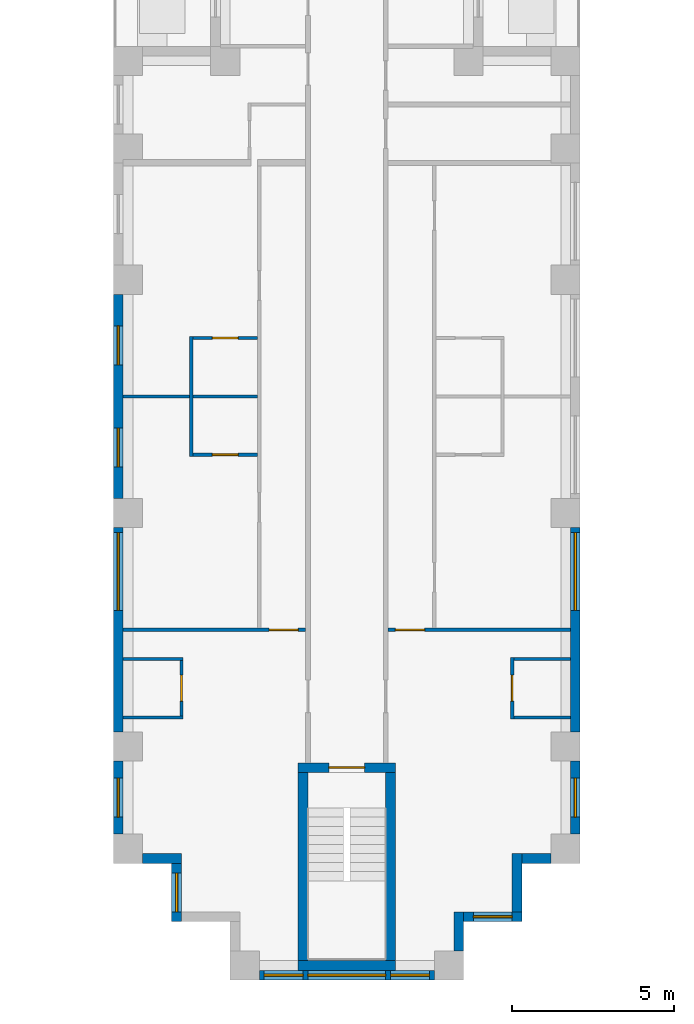
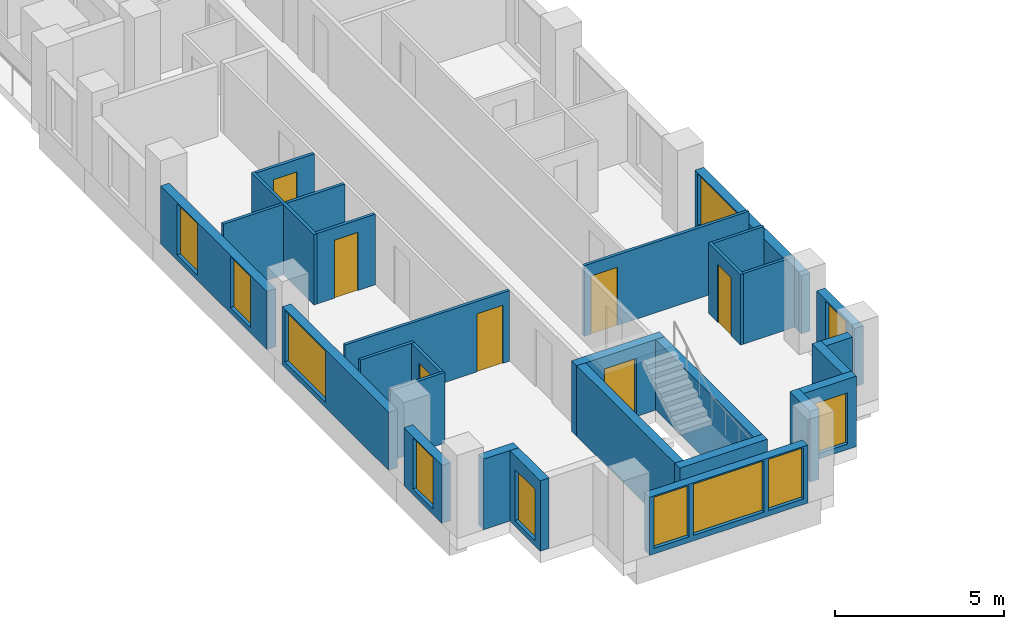
# One storey, part 3 of 15: 28 walls, 11 windows, 7 doors, 18 openings.
"""IFC4 building model written with IfcOpenShell, lengths in metres."""

from ifc_helpers import new_model, si_unit, direction, frame, frame_2d, origin, place, context, subcontext, project, spatial, rectangle, extrude, material, layer, layer_set, type_object, element, fill, save


model = new_model("IFC4")

# Units and contexts
model_context = context("Model", 3, precision=1e-05, world=origin(), true_north=direction((0.0, 1.0)))
body_context = subcontext(model_context, "Body", "Model", "MODEL_VIEW")
ifc_project = project(units=[si_unit("LENGTHUNIT", "METRE"), si_unit("AREAUNIT", "SQUARE_METRE"), si_unit("VOLUMEUNIT", "CUBIC_METRE"), si_unit("PLANEANGLEUNIT", "RADIAN"), si_unit("MASSUNIT", "GRAM", prefix="KILO")], contexts=[model_context])

# Site, building, storey
site_placement = place(None, origin())
site = spatial("IfcSite", under=ifc_project, at=site_placement, CompositionType="ELEMENT")
building_placement = place(site_placement, origin())
building = spatial("IfcBuilding", under=site, at=building_placement, Name="Fustian Cross Tower", CompositionType="ELEMENT")
storey_placement = place(building_placement, frame((0.0, 0.0, 59.699951171875)))
storey = spatial("IfcBuildingStorey", under=building, at=storey_placement, Name="L18", CompositionType="ELEMENT", Elevation=59.699951171875)

# Walls
ifc_material_1 = material(Name="Plasterboard on steel stud", Category="steel")
ifc_layer_1 = layer(ifc_material_1, 0.10009765625)
ifc_layer_set_1 = layer_set([ifc_layer_1], Name="Plasterboard on steel stud")
wall_type_1 = type_object("IfcWallType", Name="PARTITION 100 STUD", PredefinedType="PARTITIONING", material=ifc_layer_set_1)
for number, where, z_axis, x_axis, name in (
    (1, (-6.89990234375, -35.10009765625, 0.0), (0.0, 0.0, 1.0), (1.0, 0.0, 0.0), "Partition 14"),
    (2, (-6.89990234375, -33.300048828125, 0.0), (0.0, 0.0, 1.0), (1.0, 0.0, 0.0), "Partition 15"),
):
    element("IfcWall", number, at=place(storey_placement, frame(where, z_axis=z_axis, x_axis=x_axis)), inside=storey, type_object=wall_type_1, Name=name, PredefinedType="PARTITIONING", context=body_context, shape_type="SweptSolid", body=[
        extrude(rectangle(XDim=1.849853515625, YDim=0.10009765625, at=frame_2d((0.9248046875, 0.0))), origin(), (0.0, 0.0, 1.0), 2.550048828125),
    ])

# Wall, opening, door
wall_1_placement = place(storey_placement, frame((-6.89990234375, -32.39990234375, 0.0), z_axis=(0.0, 0.0, 1.0), x_axis=(1.0, 0.0, 0.0)))
wall_1 = element("IfcWall", 3, at=wall_1_placement, inside=storey, type_object=wall_type_1, Name="Partition 16", PredefinedType="PARTITIONING", context=body_context, shape_type="SweptSolid", body=[
    extrude(rectangle(XDim=5.625, YDim=0.10009765625, at=frame_2d((2.8125, 0.0))), origin(), (0.0, 0.0, 1.0), 2.550048828125),
])
opening_1_placement = place(wall_1_placement, frame((4.5, 0.0, 0.0)))
opening_1 = element("IfcOpeningElement", 4, at=opening_1_placement, cuts=wall_1, Name="Opening D09072", PredefinedType="OPENING", context=body_context, shape_type="SweptSolid", body=[
    extrude(rectangle(XDim=0.89990234375, YDim=2.10009765625, at=frame_2d((0.449951171875, 1.050048828125))), frame((0.0, 0.06005859375, 0.0), z_axis=(0.0, -1.0, 0.0), x_axis=(1.0, 0.0, 0.0)), (0.0, 0.0, 1.0), 0.1201171875),
])
ifc_material_2 = material(Name="Painted timber", Category="wood")
door_type_1 = type_object("IfcDoorType", Name="SWING DOOR 900", OperationType="SINGLE_SWING_LEFT", PredefinedType="DOOR", material=ifc_material_2)
door_1_placement = place(opening_1_placement, origin())
door_1 = element("IfcDoor", 5, at=door_1_placement, inside=storey, type_object=door_type_1, Name="Door D09072", OperationType="SINGLE_SWING_LEFT", OverallHeight=2.10009765625, OverallWidth=0.89990234375, PredefinedType="DOOR", context=body_context, shape_type="SweptSolid", body=[
    extrude(rectangle(XDim=0.89990234375, YDim=2.10009765625, at=frame_2d((0.449951171875, 1.050048828125))), frame((0.0, 0.02490234375, 0.0), z_axis=(0.0, -1.0, 0.0), x_axis=(1.0, 0.0, 0.0)), (0.0, 0.0, 1.0), 0.050048828125),
])
fill(opening_1, door_1)

# Wall
wall_2_placement = place(storey_placement, frame((-6.89990234375, -25.199951171875, 0.0), z_axis=(0.0, 0.0, 1.0), x_axis=(1.0, 0.0, 0.0)))
element("IfcWall", 6, at=wall_2_placement, inside=storey, type_object=wall_type_1, Name="Partition 17", PredefinedType="PARTITIONING", context=body_context, shape_type="SweptSolid", body=[
    extrude(rectangle(XDim=4.14990234375, YDim=0.10009765625, at=frame_2d((2.074951171875, 0.0))), origin(), (0.0, 0.0, 1.0), 2.550048828125),
])

# Wall, opening, door
wall_3_placement = place(storey_placement, frame((-5.10009765625, -35.050048828125, 0.0), z_axis=(0.0, 0.0, 1.0), x_axis=(0.0, 1.0, 0.0)))
wall_3 = element("IfcWall", 7, at=wall_3_placement, inside=storey, type_object=wall_type_1, Name="Partition 24", PredefinedType="PARTITIONING", context=body_context, shape_type="SweptSolid", body=[
    extrude(rectangle(XDim=1.699951171875, YDim=0.10009765625, at=frame_2d((0.85009765625, 0.0))), origin(), (0.0, 0.0, 1.0), 2.550048828125),
])
opening_2_placement = place(wall_3_placement, frame((0.449951171875, 0.0, 0.0)))
opening_2 = element("IfcOpeningElement", 8, at=opening_2_placement, cuts=wall_3, Name="Opening D09068", PredefinedType="OPENING", context=body_context, shape_type="SweptSolid", body=[
    extrude(rectangle(XDim=0.800048828125, YDim=2.10009765625, at=frame_2d((0.39990234375, 1.050048828125))), frame((0.0, 0.06005859375, 0.0), z_axis=(0.0, -1.0, 0.0), x_axis=(1.0, 0.0, 0.0)), (0.0, 0.0, 1.0), 0.1201171875),
])
ifc_material_3 = material(Name="Painted timber", Category="wood")
door_type_2 = type_object("IfcDoorType", Name="SWING DOOR 800", OperationType="SINGLE_SWING_LEFT", PredefinedType="DOOR", material=ifc_material_3)
door_2_placement = place(opening_2_placement, origin())
door_2 = element("IfcDoor", 9, at=door_2_placement, inside=storey, type_object=door_type_2, Name="Door D09068", OperationType="SINGLE_SWING_RIGHT", OverallHeight=2.10009765625, OverallWidth=0.800048828125, PredefinedType="DOOR", context=body_context, shape_type="SweptSolid", body=[
    extrude(rectangle(XDim=0.800048828125, YDim=2.10009765625, at=frame_2d((0.39990234375, 1.050048828125))), frame((0.0, 0.02490234375, 0.0), z_axis=(0.0, -1.0, 0.0), x_axis=(1.0, 0.0, 0.0)), (0.0, 0.0, 1.0), 0.050048828125),
])
fill(opening_2, door_2)

# Wall
wall_4_placement = place(storey_placement, frame((-4.800048828125, -27.050048828125, 0.0), z_axis=(0.0, 0.0, 1.0), x_axis=(0.0, 1.0, 0.0)))
element("IfcWall", 10, at=wall_4_placement, inside=storey, type_object=wall_type_1, Name="Partition 25", PredefinedType="PARTITIONING", context=body_context, shape_type="SweptSolid", body=[
    extrude(rectangle(XDim=3.699951171875, YDim=0.10009765625, at=frame_2d((1.85009765625, 0.0))), origin(), (0.0, 0.0, 1.0), 2.550048828125),
])

# Wall, opening, door
wall_5_placement = place(storey_placement, frame((-4.75, -27.0, 0.0), z_axis=(0.0, 0.0, 1.0), x_axis=(1.0, 0.0, 0.0)))
wall_5 = element("IfcWall", 11, at=wall_5_placement, inside=storey, type_object=wall_type_1, Name="Partition 26", PredefinedType="PARTITIONING", context=body_context, shape_type="SweptSolid", body=[
    extrude(rectangle(XDim=2.0, YDim=0.10009765625, at=frame_2d((1.0, 0.0))), origin(), (0.0, 0.0, 1.0), 2.550048828125),
])
opening_3_placement = place(wall_5_placement, frame((0.60009765625, 0.0, 0.0)))
opening_3 = element("IfcOpeningElement", 12, at=opening_3_placement, cuts=wall_5, Name="Opening D09074", PredefinedType="OPENING", context=body_context, shape_type="SweptSolid", body=[
    extrude(rectangle(XDim=0.800048828125, YDim=2.10009765625, at=frame_2d((0.39990234375, 1.050048828125))), frame((0.0, 0.06005859375, 0.0), z_axis=(0.0, -1.0, 0.0), x_axis=(1.0, 0.0, 0.0)), (0.0, 0.0, 1.0), 0.1201171875),
])
door_3_placement = place(opening_3_placement, origin())
door_3 = element("IfcDoor", 13, at=door_3_placement, inside=storey, type_object=door_type_2, Name="Door D09074", OperationType="SINGLE_SWING_LEFT", OverallHeight=2.10009765625, OverallWidth=0.800048828125, PredefinedType="DOOR", context=body_context, shape_type="SweptSolid", body=[
    extrude(rectangle(XDim=0.800048828125, YDim=2.10009765625, at=frame_2d((0.39990234375, 1.050048828125))), frame((0.0, 0.02490234375, 0.0), z_axis=(0.0, -1.0, 0.0), x_axis=(1.0, 0.0, 0.0)), (0.0, 0.0, 1.0), 0.050048828125),
])
fill(opening_3, door_3)

wall_6_placement = place(storey_placement, frame((-4.75, -23.39990234375, 0.0), z_axis=(0.0, 0.0, 1.0), x_axis=(1.0, 0.0, 0.0)))
wall_6 = element("IfcWall", 14, at=wall_6_placement, inside=storey, type_object=wall_type_1, Name="Partition 27", PredefinedType="PARTITIONING", context=body_context, shape_type="SweptSolid", body=[
    extrude(rectangle(XDim=2.0, YDim=0.10009765625, at=frame_2d((1.0, 0.0))), origin(), (0.0, 0.0, 1.0), 2.550048828125),
])
opening_4_placement = place(wall_6_placement, frame((0.60009765625, 0.0, 0.0)))
opening_4 = element("IfcOpeningElement", 15, at=opening_4_placement, cuts=wall_6, Name="Opening D09073", PredefinedType="OPENING", context=body_context, shape_type="SweptSolid", body=[
    extrude(rectangle(XDim=0.800048828125, YDim=2.10009765625, at=frame_2d((0.39990234375, 1.050048828125))), frame((0.0, 0.06005859375, 0.0), z_axis=(0.0, -1.0, 0.0), x_axis=(1.0, 0.0, 0.0)), (0.0, 0.0, 1.0), 0.1201171875),
])
door_4_placement = place(opening_4_placement, frame((0.800048828125, 0.0, 0.0), z_axis=(0.0, 0.0, 1.0), x_axis=(-1.0, 0.0, 0.0)))
door_4 = element("IfcDoor", 16, at=door_4_placement, inside=storey, type_object=door_type_2, Name="Door D09073", OperationType="SINGLE_SWING_RIGHT", OverallHeight=2.10009765625, OverallWidth=0.800048828125, PredefinedType="DOOR", context=body_context, shape_type="SweptSolid", body=[
    extrude(rectangle(XDim=0.800048828125, YDim=2.10009765625, at=frame_2d((0.39990234375, 1.050048828125))), frame((0.0, 0.02490234375, 0.0), z_axis=(0.0, -1.0, 0.0), x_axis=(1.0, 0.0, 0.0)), (0.0, 0.0, 1.0), 0.050048828125),
])
fill(opening_4, door_4)

wall_7_placement = place(storey_placement, frame((1.27490234375, -32.39990234375, 0.0), z_axis=(0.0, 0.0, 1.0), x_axis=(1.0, 0.0, 0.0)))
wall_7 = element("IfcWall", 17, at=wall_7_placement, inside=storey, type_object=wall_type_1, Name="Partition 49", PredefinedType="PARTITIONING", context=body_context, shape_type="SweptSolid", body=[
    extrude(rectangle(XDim=5.625, YDim=0.10009765625, at=frame_2d((2.8125, 0.0))), origin(), (0.0, 0.0, 1.0), 2.550048828125),
])
opening_5_placement = place(wall_7_placement, frame((0.22509765625, 0.0, 0.0)))
opening_5 = element("IfcOpeningElement", 18, at=opening_5_placement, cuts=wall_7, Name="Opening D09059", PredefinedType="OPENING", context=body_context, shape_type="SweptSolid", body=[
    extrude(rectangle(XDim=0.89990234375, YDim=2.10009765625, at=frame_2d((0.449951171875, 1.050048828125))), frame((0.0, 0.06005859375, 0.0), z_axis=(0.0, -1.0, 0.0), x_axis=(1.0, 0.0, 0.0)), (0.0, 0.0, 1.0), 0.1201171875),
])
door_5_placement = place(opening_5_placement, origin())
door_5 = element("IfcDoor", 19, at=door_5_placement, inside=storey, type_object=door_type_1, Name="Door D09059", OperationType="SINGLE_SWING_LEFT", OverallHeight=2.10009765625, OverallWidth=0.89990234375, PredefinedType="DOOR", context=body_context, shape_type="SweptSolid", body=[
    extrude(rectangle(XDim=0.89990234375, YDim=2.10009765625, at=frame_2d((0.449951171875, 1.050048828125))), frame((0.0, 0.02490234375, 0.0), z_axis=(0.0, -1.0, 0.0), x_axis=(1.0, 0.0, 0.0)), (0.0, 0.0, 1.0), 0.050048828125),
])
fill(opening_5, door_5)

wall_8_placement = place(storey_placement, frame((5.10009765625, -35.14990234375, 0.0), z_axis=(0.0, 0.0, 1.0), x_axis=(0.0, 1.0, 0.0)))
wall_8 = element("IfcWall", 20, at=wall_8_placement, inside=storey, type_object=wall_type_1, Name="Partition 80", PredefinedType="PARTITIONING", context=body_context, shape_type="SweptSolid", body=[
    extrude(rectangle(XDim=1.89990234375, YDim=0.10009765625, at=frame_2d((0.949951171875, 0.0))), origin(), (0.0, 0.0, 1.0), 2.550048828125),
])
opening_6_placement = place(wall_8_placement, frame((0.550048828125, 0.0, 0.0)))
opening_6 = element("IfcOpeningElement", 21, at=opening_6_placement, cuts=wall_8, Name="Opening D09057", PredefinedType="OPENING", context=body_context, shape_type="SweptSolid", body=[
    extrude(rectangle(XDim=0.800048828125, YDim=2.10009765625, at=frame_2d((0.39990234375, 1.050048828125))), frame((0.0, 0.06005859375, 0.0), z_axis=(0.0, -1.0, 0.0), x_axis=(1.0, 0.0, 0.0)), (0.0, 0.0, 1.0), 0.1201171875),
])
door_6_placement = place(opening_6_placement, frame((0.800048828125, 0.0, 0.0), z_axis=(0.0, 0.0, 1.0), x_axis=(-1.0, 0.0, 0.0)))
door_6 = element("IfcDoor", 22, at=door_6_placement, inside=storey, type_object=door_type_2, Name="Door D09057", OperationType="SINGLE_SWING_LEFT", OverallHeight=2.10009765625, OverallWidth=0.800048828125, PredefinedType="DOOR", context=body_context, shape_type="SweptSolid", body=[
    extrude(rectangle(XDim=0.800048828125, YDim=2.10009765625, at=frame_2d((0.39990234375, 1.050048828125))), frame((0.0, 0.02490234375, 0.0), z_axis=(0.0, -1.0, 0.0), x_axis=(1.0, 0.0, 0.0)), (0.0, 0.0, 1.0), 0.050048828125),
])
fill(opening_6, door_6)

# Walls
for number, where, z_axis, x_axis, name in (
    (23, (5.14990234375, -35.10009765625, 0.0), (0.0, 0.0, 1.0), (1.0, 0.0, 0.0), "Partition 81"),
    (24, (5.14990234375, -33.300048828125, 0.0), (0.0, 0.0, 1.0), (1.0, 0.0, 0.0), "Partition 82"),
):
    element("IfcWall", number, at=place(storey_placement, frame(where, z_axis=z_axis, x_axis=x_axis)), inside=storey, type_object=wall_type_1, Name=name, PredefinedType="PARTITIONING", context=body_context, shape_type="SweptSolid", body=[
        extrude(rectangle(XDim=1.75, YDim=0.10009765625, at=frame_2d((0.875, 0.0))), origin(), (0.0, 0.0, 1.0), 2.550048828125),
    ])

# Wall, opening, door
ifc_material_4 = material(Name="Concrete C50/60", Category="concrete")
ifc_layer_2 = layer(ifc_material_4, 0.300048828125)
ifc_layer_set_2 = layer_set([ifc_layer_2], Name="Concrete C50/60")
wall_type_2 = type_object("IfcWallType", Name="STAIR ENCLOSURE WALL 300 C50/60", PredefinedType="SHEAR", material=ifc_layer_set_2)
wall_9_placement = place(storey_placement, frame((-1.5, -36.64990234375, 0.0), z_axis=(0.0, 0.0, 1.0), x_axis=(1.0, 0.0, 0.0)))
wall_9 = element("IfcWall", 25, at=wall_9_placement, inside=storey, type_object=wall_type_2, Name="Stair enclosure wall", PredefinedType="SHEAR", context=body_context, shape_type="SweptSolid", body=[
    extrude(rectangle(XDim=3.0, YDim=0.300048828125, at=frame_2d((1.5, 0.0))), origin(), (0.0, 0.0, 1.0), 2.550048828125),
])
opening_7_placement = place(wall_9_placement, frame((0.949951171875, 0.0, 0.0)))
opening_7 = element("IfcOpeningElement", 26, at=opening_7_placement, cuts=wall_9, Name="Opening CD-07-32", PredefinedType="OPENING", context=body_context, shape_type="SweptSolid", body=[
    extrude(rectangle(XDim=1.10009765625, YDim=2.10009765625, at=frame_2d((0.550048828125, 1.050048828125))), frame((0.0, 0.159912109375, 0.0), z_axis=(0.0, -1.0, 0.0), x_axis=(1.0, 0.0, 0.0)), (0.0, 0.0, 1.0), 0.320068359375),
])
ifc_material_5 = material(Name="Steel", Category="steel")
door_type_3 = type_object("IfcDoorType", Name="FIRE DOOR FD60S 1100X2100", OperationType="SINGLE_SWING_LEFT", PredefinedType="DOOR", material=ifc_material_5)
door_7_placement = place(opening_7_placement, frame((1.10009765625, 0.0, 0.0), z_axis=(0.0, 0.0, 1.0), x_axis=(-1.0, 0.0, 0.0)))
door_7 = element("IfcDoor", 27, at=door_7_placement, inside=storey, type_object=door_type_3, Name="Core door CD-07-32", OperationType="SINGLE_SWING_RIGHT", OverallHeight=2.10009765625, OverallWidth=1.10009765625, PredefinedType="DOOR", context=body_context, shape_type="SweptSolid", body=[
    extrude(rectangle(XDim=1.10009765625, YDim=2.10009765625, at=frame_2d((0.550048828125, 1.050048828125))), frame((0.0, 0.02490234375, 0.0), z_axis=(0.0, -1.0, 0.0), x_axis=(1.0, 0.0, 0.0)), (0.0, 0.0, 1.0), 0.050048828125),
])
fill(opening_7, door_7)

# Walls
wall_10_placement = place(storey_placement, frame((-1.5, -42.75, 0.0), z_axis=(0.0, 0.0, 1.0), x_axis=(1.0, 0.0, 0.0)))
element("IfcWall", 28, at=wall_10_placement, inside=storey, type_object=wall_type_2, Name="Stair enclosure wall", PredefinedType="SHEAR", context=body_context, shape_type="SweptSolid", body=[
    extrude(rectangle(XDim=3.0, YDim=0.300048828125, at=frame_2d((1.5, 0.0))), origin(), (0.0, 0.0, 1.0), 2.550048828125),
])
for number, where, z_axis, x_axis, name in (
    (29, (-1.35009765625, -36.800048828125, 0.0), (0.0, 0.0, 1.0), (0.0, -1.0, 0.0), "Stair enclosure wall"),
    (30, (1.35009765625, -36.800048828125, 0.0), (0.0, 0.0, 1.0), (0.0, -1.0, 0.0), "Stair enclosure wall"),
):
    element("IfcWall", number, at=place(storey_placement, frame(where, z_axis=z_axis, x_axis=x_axis)), inside=storey, type_object=wall_type_2, Name=name, PredefinedType="SHEAR", context=body_context, shape_type="SweptSolid", body=[
        extrude(rectangle(XDim=5.800048828125, YDim=0.300048828125, at=frame_2d((2.89990234375, 0.0))), origin(), (0.0, 0.0, 1.0), 2.550048828125),
    ])

# Wall, openings, windows
ifc_material_6 = material(Name="Dark aluminium cladding on insulated backing wall", Category="aluminium")
ifc_layer_3 = layer(ifc_material_6, 0.300048828125)
ifc_layer_set_3 = layer_set([ifc_layer_3], Name="Dark aluminium cladding on insulated backing wall")
wall_type_3 = type_object("IfcWallType", Name="XW1 EXTERNAL WALL 300", PredefinedType="SOLIDWALL", material=ifc_layer_set_3)
wall_11_placement = place(storey_placement, frame((-7.050048828125, -22.050048828125, 0.0), z_axis=(0.0, 0.0, 1.0), x_axis=(0.0, -1.0, 0.0)))
wall_11 = element("IfcWall", 31, at=wall_11_placement, inside=storey, type_object=wall_type_3, Name="External wall", PredefinedType="SOLIDWALL", context=body_context, shape_type="SweptSolid", body=[
    extrude(rectangle(XDim=6.300048828125, YDim=0.300048828125, at=frame_2d((3.14990234375, 0.0))), origin(), (0.0, 0.0, 1.0), 2.10009765625),
])
opening_8_placement = place(wall_11_placement, frame((0.97509765625, 0.0, 0.199951171875)))
opening_8 = element("IfcOpeningElement", 32, at=opening_8_placement, cuts=wall_11, Name="Opening WN3", PredefinedType="OPENING", context=body_context, shape_type="SweptSolid", body=[
    extrude(rectangle(XDim=1.199951171875, YDim=1.85009765625, at=frame_2d((0.60009765625, 0.925048828125))), frame((0.0, 0.159912109375, 0.0), z_axis=(0.0, -1.0, 0.0), x_axis=(1.0, 0.0, 0.0)), (0.0, 0.0, 1.0), 0.320068359375),
])
opening_9_placement = place(wall_11_placement, frame((4.125, 0.0, 0.199951171875)))
opening_9 = element("IfcOpeningElement", 33, at=opening_9_placement, cuts=wall_11, Name="Opening WN3", PredefinedType="OPENING", context=body_context, shape_type="SweptSolid", body=[
    extrude(rectangle(XDim=1.199951171875, YDim=1.85009765625, at=frame_2d((0.60009765625, 0.925048828125))), frame((0.0, 0.159912109375, 0.0), z_axis=(0.0, -1.0, 0.0), x_axis=(1.0, 0.0, 0.0)), (0.0, 0.0, 1.0), 0.320068359375),
])
ifc_material_7 = material(Name="Dark anodised aluminium and double glazing", Category="aluminium")
window_type_1 = type_object("IfcWindowType", Name="WN3 WINDOW 1200X1850", PartitioningType="SINGLE_PANEL", PredefinedType="WINDOW", material=ifc_material_7)
window_1_placement = place(opening_8_placement, origin())
window_1 = element("IfcWindow", 34, at=window_1_placement, inside=storey, type_object=window_type_1, Name="Window", OverallHeight=1.85009765625, OverallWidth=1.199951171875, PartitioningType="SINGLE_PANEL", PredefinedType="WINDOW", context=body_context, shape_type="SweptSolid", body=[
    extrude(rectangle(XDim=1.199951171875, YDim=1.85009765625, at=frame_2d((0.60009765625, 0.925048828125))), frame((0.0, 0.030029296875, 0.0), z_axis=(0.0, -1.0, 0.0), x_axis=(1.0, 0.0, 0.0)), (0.0, 0.0, 1.0), 0.06005859375),
])
fill(opening_8, window_1)
window_2_placement = place(opening_9_placement, origin())
window_2 = element("IfcWindow", 35, at=window_2_placement, inside=storey, type_object=window_type_1, Name="Window", OverallHeight=1.85009765625, OverallWidth=1.199951171875, PartitioningType="SINGLE_PANEL", PredefinedType="WINDOW", context=body_context, shape_type="SweptSolid", body=[
    extrude(rectangle(XDim=1.199951171875, YDim=1.85009765625, at=frame_2d((0.60009765625, 0.925048828125))), frame((0.0, 0.030029296875, 0.0), z_axis=(0.0, -1.0, 0.0), x_axis=(1.0, 0.0, 0.0)), (0.0, 0.0, 1.0), 0.06005859375),
])
fill(opening_9, window_2)

# Wall, opening, window
wall_12_placement = place(storey_placement, frame((-7.050048828125, -29.25, 0.0), z_axis=(0.0, 0.0, 1.0), x_axis=(0.0, -1.0, 0.0)))
wall_12 = element("IfcWall", 36, at=wall_12_placement, inside=storey, type_object=wall_type_3, Name="External wall", PredefinedType="SOLIDWALL", context=body_context, shape_type="SweptSolid", body=[
    extrude(rectangle(XDim=6.300048828125, YDim=0.300048828125, at=frame_2d((3.14990234375, 0.0))), origin(), (0.0, 0.0, 1.0), 2.10009765625),
])
opening_10_placement = place(wall_12_placement, frame((0.14990234375, 0.0, 0.199951171875)))
opening_10 = element("IfcOpeningElement", 37, at=opening_10_placement, cuts=wall_12, Name="Opening WN1", PredefinedType="OPENING", context=body_context, shape_type="SweptSolid", body=[
    extrude(rectangle(XDim=2.39990234375, YDim=1.85009765625, at=frame_2d((1.199951171875, 0.925048828125))), frame((0.0, 0.159912109375, 0.0), z_axis=(0.0, -1.0, 0.0), x_axis=(1.0, 0.0, 0.0)), (0.0, 0.0, 1.0), 0.320068359375),
])
ifc_material_8 = material(Name="Dark anodised aluminium and double glazing", Category="aluminium")
window_type_2 = type_object("IfcWindowType", Name="WN1 WINDOW 2400X1850", PartitioningType="SINGLE_PANEL", PredefinedType="WINDOW", material=ifc_material_8)
window_3_placement = place(opening_10_placement, origin())
window_3 = element("IfcWindow", 38, at=window_3_placement, inside=storey, type_object=window_type_2, Name="Window", OverallHeight=1.85009765625, OverallWidth=2.39990234375, PartitioningType="SINGLE_PANEL", PredefinedType="WINDOW", context=body_context, shape_type="SweptSolid", body=[
    extrude(rectangle(XDim=2.39990234375, YDim=1.85009765625, at=frame_2d((1.199951171875, 0.925048828125))), frame((0.0, 0.030029296875, 0.0), z_axis=(0.0, -1.0, 0.0), x_axis=(1.0, 0.0, 0.0)), (0.0, 0.0, 1.0), 0.06005859375),
])
fill(opening_10, window_3)

wall_13_placement = place(storey_placement, frame((-7.050048828125, -36.449951171875, 0.0), z_axis=(0.0, 0.0, 1.0), x_axis=(0.0, -1.0, 0.0)))
wall_13 = element("IfcWall", 39, at=wall_13_placement, inside=storey, type_object=wall_type_3, Name="External wall", PredefinedType="SOLIDWALL", context=body_context, shape_type="SweptSolid", body=[
    extrude(rectangle(XDim=2.25, YDim=0.300048828125, at=frame_2d((1.125, 0.0))), origin(), (0.0, 0.0, 1.0), 2.10009765625),
])
opening_11_placement = place(wall_13_placement, frame((0.52490234375, 0.0, 0.199951171875)))
opening_11 = element("IfcOpeningElement", 40, at=opening_11_placement, cuts=wall_13, Name="Opening WN3", PredefinedType="OPENING", context=body_context, shape_type="SweptSolid", body=[
    extrude(rectangle(XDim=1.199951171875, YDim=1.85009765625, at=frame_2d((0.60009765625, 0.925048828125))), frame((0.0, 0.159912109375, 0.0), z_axis=(0.0, -1.0, 0.0), x_axis=(1.0, 0.0, 0.0)), (0.0, 0.0, 1.0), 0.320068359375),
])
window_4_placement = place(opening_11_placement, origin())
window_4 = element("IfcWindow", 41, at=window_4_placement, inside=storey, type_object=window_type_1, Name="Window", OverallHeight=1.85009765625, OverallWidth=1.199951171875, PartitioningType="SINGLE_PANEL", PredefinedType="WINDOW", context=body_context, shape_type="SweptSolid", body=[
    extrude(rectangle(XDim=1.199951171875, YDim=1.85009765625, at=frame_2d((0.60009765625, 0.925048828125))), frame((0.0, 0.030029296875, 0.0), z_axis=(0.0, -1.0, 0.0), x_axis=(1.0, 0.0, 0.0)), (0.0, 0.0, 1.0), 0.06005859375),
])
fill(opening_11, window_4)

# Wall
wall_14_placement = place(storey_placement, frame((-6.300048828125, -39.449951171875, 0.0), z_axis=(0.0, 0.0, 1.0), x_axis=(1.0, 0.0, 0.0)))
element("IfcWall", 42, at=wall_14_placement, inside=storey, type_object=wall_type_3, Name="External wall", PredefinedType="SOLIDWALL", context=body_context, shape_type="SweptSolid", body=[
    extrude(rectangle(XDim=1.199951171875, YDim=0.300048828125, at=frame_2d((0.60009765625, 0.0))), origin(), (0.0, 0.0, 1.0), 2.550048828125),
])

# Wall, opening, window
wall_15_placement = place(storey_placement, frame((-5.25, -39.60009765625, 0.0), z_axis=(0.0, 0.0, 1.0), x_axis=(0.0, -1.0, 0.0)))
wall_15 = element("IfcWall", 43, at=wall_15_placement, inside=storey, type_object=wall_type_3, Name="External wall", PredefinedType="SOLIDWALL", context=body_context, shape_type="SweptSolid", body=[
    extrude(rectangle(XDim=1.7998046875, YDim=0.300048828125, at=frame_2d((0.89990234375, 0.0))), origin(), (0.0, 0.0, 1.0), 2.550048828125),
])
opening_12_placement = place(wall_15_placement, frame((0.300048828125, 0.0, 0.199951171875)))
opening_12 = element("IfcOpeningElement", 44, at=opening_12_placement, cuts=wall_15, Name="Opening WN3", PredefinedType="OPENING", context=body_context, shape_type="SweptSolid", body=[
    extrude(rectangle(XDim=1.199951171875, YDim=1.85009765625, at=frame_2d((0.60009765625, 0.925048828125))), frame((0.0, 0.159912109375, 0.0), z_axis=(0.0, -1.0, 0.0), x_axis=(1.0, 0.0, 0.0)), (0.0, 0.0, 1.0), 0.320068359375),
])
window_5_placement = place(opening_12_placement, origin())
window_5 = element("IfcWindow", 45, at=window_5_placement, inside=storey, type_object=window_type_1, Name="Window", OverallHeight=1.85009765625, OverallWidth=1.199951171875, PartitioningType="SINGLE_PANEL", PredefinedType="WINDOW", context=body_context, shape_type="SweptSolid", body=[
    extrude(rectangle(XDim=1.199951171875, YDim=1.85009765625, at=frame_2d((0.60009765625, 0.925048828125))), frame((0.0, 0.030029296875, 0.0), z_axis=(0.0, -1.0, 0.0), x_axis=(1.0, 0.0, 0.0)), (0.0, 0.0, 1.0), 0.06005859375),
])
fill(opening_12, window_5)

# Wall, openings, windows
wall_16_placement = place(storey_placement, frame((-2.699951171875, -43.050048828125, 0.0), z_axis=(0.0, 0.0, 1.0), x_axis=(1.0, 0.0, 0.0)))
wall_16 = element("IfcWall", 46, at=wall_16_placement, inside=storey, type_object=wall_type_3, Name="External wall", PredefinedType="SOLIDWALL", context=body_context, shape_type="SweptSolid", body=[
    extrude(rectangle(XDim=5.39990234375, YDim=0.300048828125, at=frame_2d((2.699951171875, 0.0))), origin(), (0.0, 0.0, 1.0), 2.10009765625),
])
opening_13_placement = place(wall_16_placement, frame((1.5, 0.0, 0.199951171875)))
opening_13 = element("IfcOpeningElement", 47, at=opening_13_placement, cuts=wall_16, Name="Opening WN1", PredefinedType="OPENING", context=body_context, shape_type="SweptSolid", body=[
    extrude(rectangle(XDim=2.39990234375, YDim=1.85009765625, at=frame_2d((1.199951171875, 0.925048828125))), frame((0.0, 0.159912109375, 0.0), z_axis=(0.0, -1.0, 0.0), x_axis=(1.0, 0.0, 0.0)), (0.0, 0.0, 1.0), 0.320068359375),
])
opening_14_placement = place(wall_16_placement, frame((0.14990234375, 0.0, 0.199951171875)))
opening_14 = element("IfcOpeningElement", 48, at=opening_14_placement, cuts=wall_16, Name="Opening WN3", PredefinedType="OPENING", context=body_context, shape_type="SweptSolid", body=[
    extrude(rectangle(XDim=1.199951171875, YDim=1.85009765625, at=frame_2d((0.60009765625, 0.925048828125))), frame((0.0, 0.159912109375, 0.0), z_axis=(0.0, -1.0, 0.0), x_axis=(1.0, 0.0, 0.0)), (0.0, 0.0, 1.0), 0.320068359375),
])
opening_15_placement = place(wall_16_placement, frame((4.050048828125, 0.0, 0.199951171875)))
opening_15 = element("IfcOpeningElement", 49, at=opening_15_placement, cuts=wall_16, Name="Opening WN3", PredefinedType="OPENING", context=body_context, shape_type="SweptSolid", body=[
    extrude(rectangle(XDim=1.199951171875, YDim=1.85009765625, at=frame_2d((0.60009765625, 0.925048828125))), frame((0.0, 0.159912109375, 0.0), z_axis=(0.0, -1.0, 0.0), x_axis=(1.0, 0.0, 0.0)), (0.0, 0.0, 1.0), 0.320068359375),
])
window_6_placement = place(opening_13_placement, origin())
window_6 = element("IfcWindow", 50, at=window_6_placement, inside=storey, type_object=window_type_2, Name="Window", OverallHeight=1.85009765625, OverallWidth=2.39990234375, PartitioningType="SINGLE_PANEL", PredefinedType="WINDOW", context=body_context, shape_type="SweptSolid", body=[
    extrude(rectangle(XDim=2.39990234375, YDim=1.85009765625, at=frame_2d((1.199951171875, 0.925048828125))), frame((0.0, 0.030029296875, 0.0), z_axis=(0.0, -1.0, 0.0), x_axis=(1.0, 0.0, 0.0)), (0.0, 0.0, 1.0), 0.06005859375),
])
fill(opening_13, window_6)
window_7_placement = place(opening_14_placement, origin())
window_7 = element("IfcWindow", 51, at=window_7_placement, inside=storey, type_object=window_type_1, Name="Window", OverallHeight=1.85009765625, OverallWidth=1.199951171875, PartitioningType="SINGLE_PANEL", PredefinedType="WINDOW", context=body_context, shape_type="SweptSolid", body=[
    extrude(rectangle(XDim=1.199951171875, YDim=1.85009765625, at=frame_2d((0.60009765625, 0.925048828125))), frame((0.0, 0.030029296875, 0.0), z_axis=(0.0, -1.0, 0.0), x_axis=(1.0, 0.0, 0.0)), (0.0, 0.0, 1.0), 0.06005859375),
])
fill(opening_14, window_7)
window_8_placement = place(opening_15_placement, origin())
window_8 = element("IfcWindow", 52, at=window_8_placement, inside=storey, type_object=window_type_1, Name="Window", OverallHeight=1.85009765625, OverallWidth=1.199951171875, PartitioningType="SINGLE_PANEL", PredefinedType="WINDOW", context=body_context, shape_type="SweptSolid", body=[
    extrude(rectangle(XDim=1.199951171875, YDim=1.85009765625, at=frame_2d((0.60009765625, 0.925048828125))), frame((0.0, 0.030029296875, 0.0), z_axis=(0.0, -1.0, 0.0), x_axis=(1.0, 0.0, 0.0)), (0.0, 0.0, 1.0), 0.06005859375),
])
fill(opening_15, window_8)

# Wall
wall_17_placement = place(storey_placement, frame((3.449951171875, -42.300048828125, 0.0), z_axis=(0.0, 0.0, 1.0), x_axis=(0.0, 1.0, 0.0)))
element("IfcWall", 53, at=wall_17_placement, inside=storey, type_object=wall_type_3, Name="External wall", PredefinedType="SOLIDWALL", context=body_context, shape_type="SweptSolid", body=[
    extrude(rectangle(XDim=1.199951171875, YDim=0.300048828125, at=frame_2d((0.60009765625, 0.0))), origin(), (0.0, 0.0, 1.0), 2.550048828125),
])

# Wall, opening, window
wall_18_placement = place(storey_placement, frame((3.60009765625, -41.25, 0.0), z_axis=(0.0, 0.0, 1.0), x_axis=(1.0, 0.0, 0.0)))
wall_18 = element("IfcWall", 54, at=wall_18_placement, inside=storey, type_object=wall_type_3, Name="External wall", PredefinedType="SOLIDWALL", context=body_context, shape_type="SweptSolid", body=[
    extrude(rectangle(XDim=1.7998046875, YDim=0.300048828125, at=frame_2d((0.89990234375, 0.0))), origin(), (0.0, 0.0, 1.0), 2.550048828125),
])
opening_16_placement = place(wall_18_placement, frame((0.300048828125, 0.0, 0.199951171875)))
opening_16 = element("IfcOpeningElement", 55, at=opening_16_placement, cuts=wall_18, Name="Opening WN3", PredefinedType="OPENING", context=body_context, shape_type="SweptSolid", body=[
    extrude(rectangle(XDim=1.199951171875, YDim=1.85009765625, at=frame_2d((0.60009765625, 0.925048828125))), frame((0.0, 0.159912109375, 0.0), z_axis=(0.0, -1.0, 0.0), x_axis=(1.0, 0.0, 0.0)), (0.0, 0.0, 1.0), 0.320068359375),
])
window_9_placement = place(opening_16_placement, origin())
window_9 = element("IfcWindow", 56, at=window_9_placement, inside=storey, type_object=window_type_1, Name="Window", OverallHeight=1.85009765625, OverallWidth=1.199951171875, PartitioningType="SINGLE_PANEL", PredefinedType="WINDOW", context=body_context, shape_type="SweptSolid", body=[
    extrude(rectangle(XDim=1.199951171875, YDim=1.85009765625, at=frame_2d((0.60009765625, 0.925048828125))), frame((0.0, 0.030029296875, 0.0), z_axis=(0.0, -1.0, 0.0), x_axis=(1.0, 0.0, 0.0)), (0.0, 0.0, 1.0), 0.06005859375),
])
fill(opening_16, window_9)

# Walls
wall_19_placement = place(storey_placement, frame((5.25, -41.10009765625, 0.0), z_axis=(0.0, 0.0, 1.0), x_axis=(0.0, 1.0, 0.0)))
element("IfcWall", 57, at=wall_19_placement, inside=storey, type_object=wall_type_3, Name="External wall", PredefinedType="SOLIDWALL", context=body_context, shape_type="SweptSolid", body=[
    extrude(rectangle(XDim=1.800048828125, YDim=0.300048828125, at=frame_2d((0.89990234375, 0.0))), origin(), (0.0, 0.0, 1.0), 2.550048828125),
])
wall_20_placement = place(storey_placement, frame((5.39990234375, -39.449951171875, 0.0), z_axis=(0.0, 0.0, 1.0), x_axis=(1.0, 0.0, 0.0)))
element("IfcWall", 58, at=wall_20_placement, inside=storey, type_object=wall_type_3, Name="External wall", PredefinedType="SOLIDWALL", context=body_context, shape_type="SweptSolid", body=[
    extrude(rectangle(XDim=0.900146484375, YDim=0.300048828125, at=frame_2d((0.4501953125, 0.0))), origin(), (0.0, 0.0, 1.0), 2.550048828125),
])

# Wall, opening, window
wall_21_placement = place(storey_placement, frame((7.050048828125, -38.699951171875, 0.0), z_axis=(0.0, 0.0, 1.0), x_axis=(0.0, 1.0, 0.0)))
wall_21 = element("IfcWall", 59, at=wall_21_placement, inside=storey, type_object=wall_type_3, Name="External wall", PredefinedType="SOLIDWALL", context=body_context, shape_type="SweptSolid", body=[
    extrude(rectangle(XDim=2.25, YDim=0.300048828125, at=frame_2d((1.125, 0.0))), origin(), (0.0, 0.0, 1.0), 2.10009765625),
])
opening_17_placement = place(wall_21_placement, frame((0.52490234375, 0.0, 0.199951171875)))
opening_17 = element("IfcOpeningElement", 60, at=opening_17_placement, cuts=wall_21, Name="Opening WN3", PredefinedType="OPENING", context=body_context, shape_type="SweptSolid", body=[
    extrude(rectangle(XDim=1.199951171875, YDim=1.85009765625, at=frame_2d((0.60009765625, 0.925048828125))), frame((0.0, 0.159912109375, 0.0), z_axis=(0.0, -1.0, 0.0), x_axis=(1.0, 0.0, 0.0)), (0.0, 0.0, 1.0), 0.320068359375),
])
window_10_placement = place(opening_17_placement, origin())
window_10 = element("IfcWindow", 61, at=window_10_placement, inside=storey, type_object=window_type_1, Name="Window", OverallHeight=1.85009765625, OverallWidth=1.199951171875, PartitioningType="SINGLE_PANEL", PredefinedType="WINDOW", context=body_context, shape_type="SweptSolid", body=[
    extrude(rectangle(XDim=1.199951171875, YDim=1.85009765625, at=frame_2d((0.60009765625, 0.925048828125))), frame((0.0, 0.030029296875, 0.0), z_axis=(0.0, -1.0, 0.0), x_axis=(1.0, 0.0, 0.0)), (0.0, 0.0, 1.0), 0.06005859375),
])
fill(opening_17, window_10)

wall_22_placement = place(storey_placement, frame((7.050048828125, -35.550048828125, 0.0), z_axis=(0.0, 0.0, 1.0), x_axis=(0.0, 1.0, 0.0)))
wall_22 = element("IfcWall", 62, at=wall_22_placement, inside=storey, type_object=wall_type_3, Name="External wall", PredefinedType="SOLIDWALL", context=body_context, shape_type="SweptSolid", body=[
    extrude(rectangle(XDim=6.300048828125, YDim=0.300048828125, at=frame_2d((3.14990234375, 0.0))), origin(), (0.0, 0.0, 1.0), 2.10009765625),
])
opening_18_placement = place(wall_22_placement, frame((3.75, 0.0, 0.199951171875)))
opening_18 = element("IfcOpeningElement", 63, at=opening_18_placement, cuts=wall_22, Name="Opening WN1", PredefinedType="OPENING", context=body_context, shape_type="SweptSolid", body=[
    extrude(rectangle(XDim=2.39990234375, YDim=1.85009765625, at=frame_2d((1.199951171875, 0.925048828125))), frame((0.0, 0.159912109375, 0.0), z_axis=(0.0, -1.0, 0.0), x_axis=(1.0, 0.0, 0.0)), (0.0, 0.0, 1.0), 0.320068359375),
])
window_11_placement = place(opening_18_placement, origin())
window_11 = element("IfcWindow", 64, at=window_11_placement, inside=storey, type_object=window_type_2, Name="Window", OverallHeight=1.85009765625, OverallWidth=2.39990234375, PartitioningType="SINGLE_PANEL", PredefinedType="WINDOW", context=body_context, shape_type="SweptSolid", body=[
    extrude(rectangle(XDim=2.39990234375, YDim=1.85009765625, at=frame_2d((1.199951171875, 0.925048828125))), frame((0.0, 0.030029296875, 0.0), z_axis=(0.0, -1.0, 0.0), x_axis=(1.0, 0.0, 0.0)), (0.0, 0.0, 1.0), 0.06005859375),
])
fill(opening_18, window_11)

save(model, "model.ifc")
